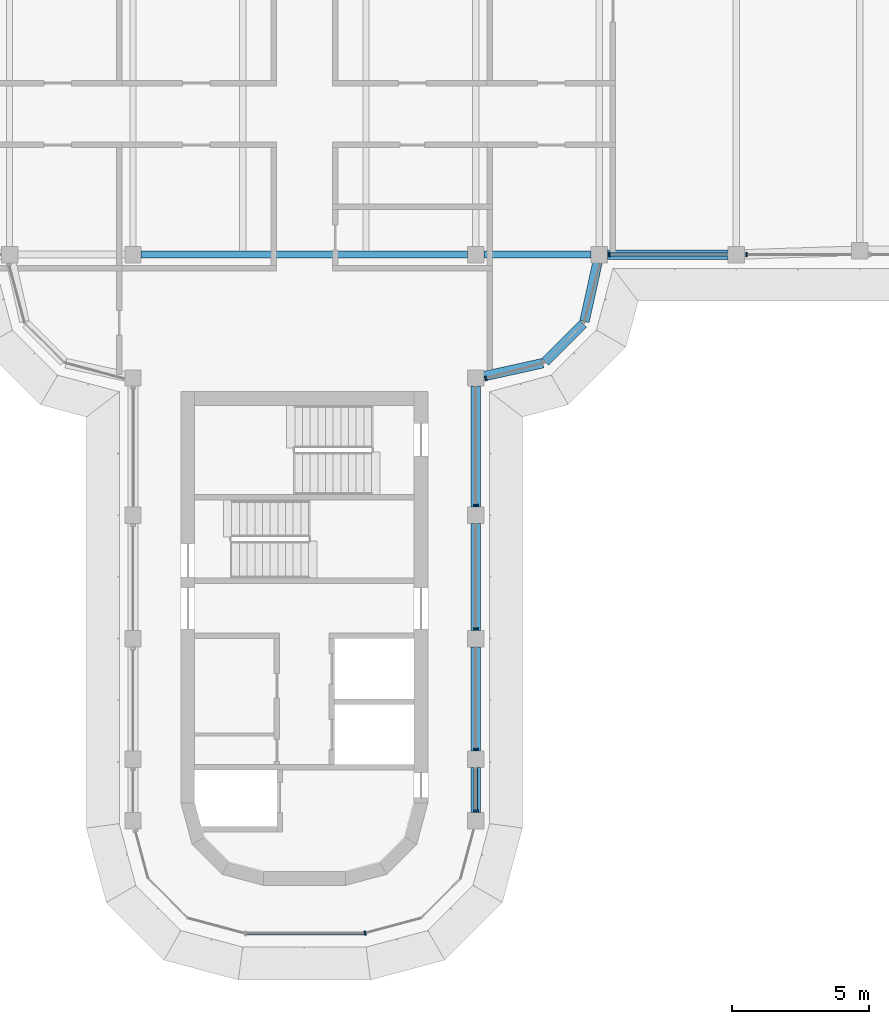
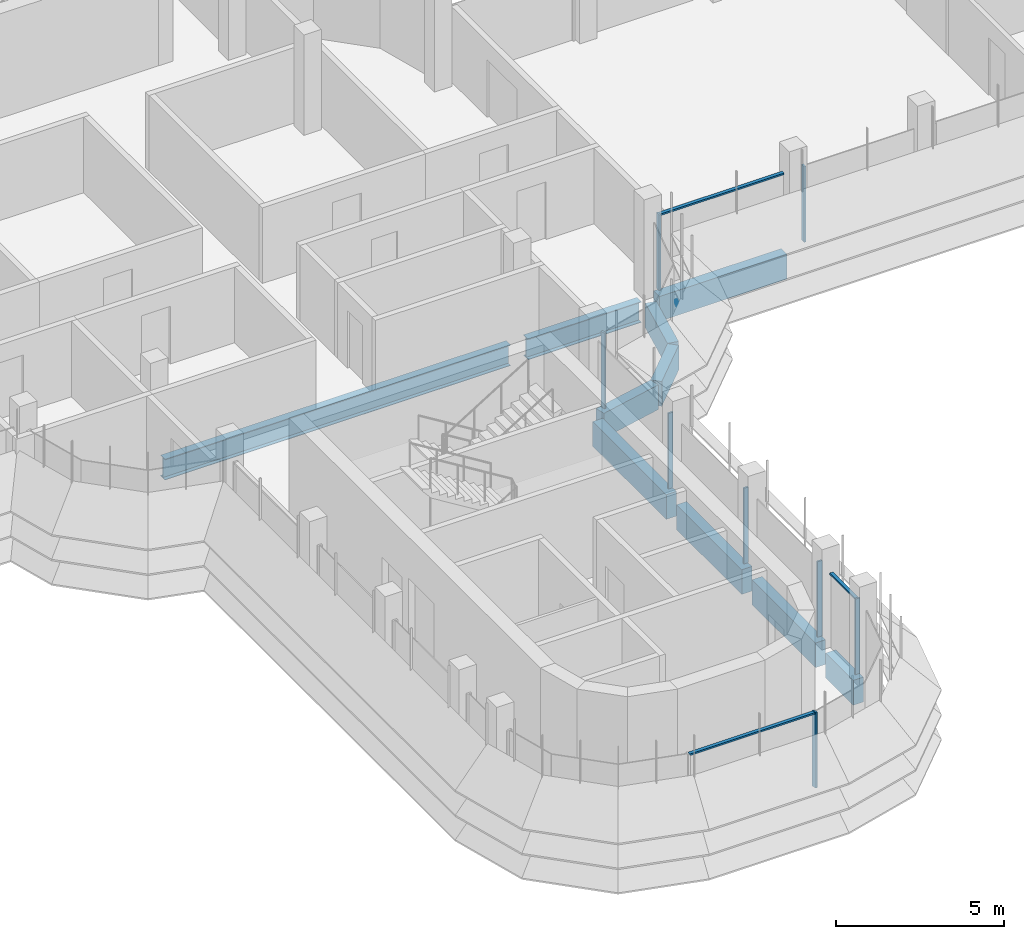
# One storey, part 4 of 19: 11 members, 10 beams, 5 elements without a shape of their own.
"""IFC4 building model written with IfcOpenShell, lengths in metres."""

from ifc_helpers import new_model, si_unit, direction, frame, origin, origin_2d, place, context, subcontext, project, spatial, polyline, rectangle, i_section, outline, extrude, source, transform, mapped, material, material_profile, profile_set, type_object, element, aggregate, save


model = new_model("IFC4")

# Units and contexts
model_context = context("Model", 3, precision=1e-05, world=origin(), true_north=direction((0.0, 1.0)))
body_context = subcontext(model_context, "Body", "Model", "MODEL_VIEW")
ifc_project = project(units=[si_unit("LENGTHUNIT", "METRE"), si_unit("AREAUNIT", "SQUARE_METRE"), si_unit("VOLUMEUNIT", "CUBIC_METRE"), si_unit("PLANEANGLEUNIT", "RADIAN"), si_unit("MASSUNIT", "GRAM", prefix="KILO")], contexts=[model_context])

# Site, building, storey
site_placement = place(None, origin())
site = spatial("IfcSite", under=ifc_project, at=site_placement, CompositionType="ELEMENT")
building_placement = place(site_placement, origin())
building = spatial("IfcBuilding", under=site, at=building_placement, Name="Zarbagh Exchange Tower", CompositionType="ELEMENT")
storey_placement = place(building_placement, frame((0.0, 0.0, 276.39990234375)))
storey = spatial("IfcBuildingStorey", under=building, at=storey_placement, Name="L68", CompositionType="ELEMENT", Elevation=276.39990234375)

# Beams
ifc_material_1 = material(Name="Steel ASTM A992 Gr 50", Category="steel")
ifc_material_profile_1 = material_profile(ifc_material_1, i_section(OverallWidth=0.2666015625, OverallDepth=0.7568359375, WebThickness=0.013916015625, FlangeThickness=0.019287109375, at=origin_2d()), Name="W30X108")
ifc_profile_set_1 = profile_set([ifc_material_profile_1], Name="Steel ASTM A992 Gr 50")
beam_type_1 = type_object("IfcBeamType", Name="Floor girder W30X108", PredefinedType="BEAM", material=ifc_profile_set_1)
beam_1_placement = place(storey_placement, frame((-5.949951171875, -6.25, -0.5283203125), z_axis=(1.0, 0.0, 0.0), x_axis=(0.0, 1.0, 0.0)))
element("IfcBeam", 1, at=beam_1_placement, inside=storey, type_object=beam_type_1, Name="Steel girder", PredefinedType="BEAM", context=body_context, shape_type="SweptSolid", body=[
    extrude(i_section(OverallWidth=0.2666015625, OverallDepth=0.7568359375, WebThickness=0.013916015625, FlangeThickness=0.019287109375, at=origin_2d()), origin(), (0.0, 0.0, 1.0), 11.89990234375),
])
beam_2_placement = place(storey_placement, frame((6.550048828125, -6.25, -0.5283203125), z_axis=(1.0, 0.0, 0.0), x_axis=(0.0, 1.0, 0.0)))
element("IfcBeam", 2, at=beam_2_placement, inside=storey, type_object=beam_type_1, Name="Steel girder", PredefinedType="BEAM", context=body_context, shape_type="SweptSolid", body=[
    extrude(i_section(OverallWidth=0.2666015625, OverallDepth=0.7568359375, WebThickness=0.013916015625, FlangeThickness=0.019287109375, at=origin_2d()), origin(), (0.0, 0.0, 1.0), 3.89990234375),
])
ifc_material_2 = material(Name="Concrete C40/50", Category="concrete")
ifc_material_profile_2 = material_profile(ifc_material_2, rectangle(XDim=0.35009765625, YDim=0.89990234375, at=origin_2d()), Name="RC spandrel beam 350 x 900 C40/50")
ifc_profile_set_2 = profile_set([ifc_material_profile_2], Name="Concrete C40/50")
beam_type_2 = type_object("IfcBeamType", Name="RC spandrel beam 350 x 900 C40/50", PredefinedType="SPANDREL", material=ifc_profile_set_2)
beam_3_placement = place(storey_placement, frame((15.449951171875, -6.25, -0.599853515625), z_axis=(-1.0, 0.0, 0.0), x_axis=(0.0, -1.0, 0.0)))
element("IfcBeam", 3, at=beam_3_placement, inside=storey, type_object=beam_type_2, Name="RC spandrel beam", PredefinedType="SPANDREL", context=body_context, shape_type="SweptSolid", body=[
    extrude(rectangle(XDim=0.35009765625, YDim=0.89990234375, at=origin_2d()), origin(), (0.0, 0.0, 1.0), 4.39990234375),
])
beam_4_placement = place(storey_placement, frame((10.685302734375, -6.54296875, -0.599853515625), z_axis=(-0.216025770228, -0.976387662047, 0.0), x_axis=(0.976387662047, -0.216025770228, 0.0)))
element("IfcBeam", 4, at=beam_4_placement, inside=storey, type_object=beam_type_2, Name="RC spandrel beam", PredefinedType="SPANDREL", context=body_context, shape_type="SweptSolid", body=[
    extrude(rectangle(XDim=0.35009765625, YDim=0.89990234375, at=origin_2d()), origin(), (0.0, 0.0, 1.0), 2.200439453125),
])
beam_5_placement = place(storey_placement, frame((10.16259765625, -8.77734375, -0.599853515625), z_axis=(-0.707106781187, -0.707106781187, 0.0), x_axis=(0.707106781187, -0.707106781187, 0.0)))
element("IfcBeam", 5, at=beam_5_placement, inside=storey, type_object=beam_type_2, Name="RC spandrel beam", PredefinedType="SPANDREL", context=body_context, shape_type="SweptSolid", body=[
    extrude(rectangle(XDim=0.35009765625, YDim=0.89990234375, at=origin_2d()), origin(), (0.0, 0.0, 1.0), 1.958984375),
])
beam_6_placement = place(storey_placement, frame((8.69140625, -10.2099609375, -0.599853515625), z_axis=(-0.976387662047, -0.216025770228, 0.0), x_axis=(0.216025770228, -0.976387662047, 0.0)))
element("IfcBeam", 6, at=beam_6_placement, inside=storey, type_object=beam_type_2, Name="RC spandrel beam", PredefinedType="SPANDREL", context=body_context, shape_type="SweptSolid", body=[
    extrude(rectangle(XDim=0.35009765625, YDim=0.89990234375, at=origin_2d()), origin(), (0.0, 0.0, 1.0), 2.200439453125),
])
beam_7_placement = place(storey_placement, frame((6.25, -11.050048828125, -0.599853515625), z_axis=(0.0, -1.0, 0.0), x_axis=(1.0, 0.0, 0.0)))
element("IfcBeam", 7, at=beam_7_placement, inside=storey, type_object=beam_type_2, Name="RC spandrel beam", PredefinedType="SPANDREL", context=body_context, shape_type="SweptSolid", body=[
    extrude(rectangle(XDim=0.35009765625, YDim=0.89990234375, at=origin_2d()), origin(), (0.0, 0.0, 1.0), 4.39990234375),
])
beam_8_placement = place(storey_placement, frame((6.25, -16.050048828125, -0.599853515625), z_axis=(0.0, -1.0, 0.0), x_axis=(1.0, 0.0, 0.0)))
element("IfcBeam", 8, at=beam_8_placement, inside=storey, type_object=beam_type_2, Name="RC spandrel beam", PredefinedType="SPANDREL", context=body_context, shape_type="SweptSolid", body=[
    extrude(rectangle(XDim=0.35009765625, YDim=0.89990234375, at=origin_2d()), origin(), (0.0, 0.0, 1.0), 3.89990234375),
])
beam_9_placement = place(storey_placement, frame((6.25, -20.550048828125, -0.599853515625), z_axis=(0.0, -1.0, 0.0), x_axis=(1.0, 0.0, 0.0)))
element("IfcBeam", 9, at=beam_9_placement, inside=storey, type_object=beam_type_2, Name="RC spandrel beam", PredefinedType="SPANDREL", context=body_context, shape_type="SweptSolid", body=[
    extrude(rectangle(XDim=0.35009765625, YDim=0.89990234375, at=origin_2d()), origin(), (0.0, 0.0, 1.0), 3.800048828125),
])
beam_10_placement = place(storey_placement, frame((6.25, -24.949951171875, -0.599853515625), z_axis=(0.0, -1.0, 0.0), x_axis=(1.0, 0.0, 0.0)))
element("IfcBeam", 10, at=beam_10_placement, inside=storey, type_object=beam_type_2, Name="RC spandrel beam", PredefinedType="SPANDREL", context=body_context, shape_type="SweptSolid", body=[
    extrude(rectangle(XDim=0.35009765625, YDim=0.89990234375, at=origin_2d()), origin(), (0.0, 0.0, 1.0), 1.650146484375),
])

# Curtain wall, member
ifc_material_3 = material(Name="Anodised aluminium frame and glazing", Category="aluminium")
curtain_wall_type = type_object("IfcCurtainWallType", Name="CWB Ribbon glazing, upper zones", PredefinedType="NOTDEFINED", material=ifc_material_3)
curtain_wall_1_placement = place(storey_placement, origin())
curtain_wall_1 = element("IfcCurtainWall", 11, at=curtain_wall_1_placement, inside=storey, type_object=curtain_wall_type, Name="CWB49 curtain wall", PredefinedType="NOTDEFINED")
ifc_material_4 = material(Name="Anodised aluminium frame", Category="aluminium")
member_type_1 = type_object("IfcMemberType", Name="MUB Mullion, anodised aluminium frame", PredefinedType="MULLION", material=ifc_material_4)
shared_shape_1 = source(origin(), body_context, "Body", "SweptSolid", [
    extrude(outline(polyline([(0.0, -0.080078125), (0.06005859375, -0.080078125), (0.06005859375, 0.080078125), (0.0, 0.080078125), (0.0, -0.080078125)])), origin(), (0.0, 0.0, 1.0), 2.75),
])
placement = place(storey_placement, origin())
member_1 = element("IfcMember", 12, at=placement, type_object=member_type_1, Name="CWB49 mullion 1.1", PredefinedType="MULLION", context=body_context, shape_type="MappedRepresentation", body=[
    mapped(shared_shape_1, transform((2.18408203125, -31.0, 0.0), x_axis=(0.965924289636, 0.258824779902, 0.0), y_axis=(-0.258824779902, 0.965924289636, 0.0), z_axis=(0.0, 0.0, 1.0))),
])
aggregate(curtain_wall_1, [member_1])

# Curtain wall, members
curtain_wall_2_placement = place(storey_placement, origin())
curtain_wall_2 = element("IfcCurtainWall", 13, at=curtain_wall_2_placement, inside=storey, type_object=curtain_wall_type, Name="CWB52 curtain wall", PredefinedType="NOTDEFINED")
member_2 = element("IfcMember", 14, at=placement, type_object=member_type_1, Name="CWB52 mullion 1.1", PredefinedType="MULLION", context=body_context, shape_type="MappedRepresentation", body=[
    mapped(shared_shape_1, transform((6.25, -26.56005859375, 0.0), x_axis=(0.0, 1.0, 0.0), y_axis=(-1.0, 0.0, 0.0), z_axis=(0.0, 0.0, 1.0))),
])
member_3 = element("IfcMember", 15, at=placement, type_object=member_type_1, Name="CWB52 mullion 2.1", PredefinedType="MULLION", context=body_context, shape_type="MappedRepresentation", body=[
    mapped(shared_shape_1, transform((6.25, -24.31005859375, 0.0), x_axis=(0.0, 1.0, 0.0), y_axis=(-1.0, 0.0, 0.0), z_axis=(0.0, 0.0, 1.0))),
])
member_4 = element("IfcMember", 16, at=placement, type_object=member_type_1, Name="CWB52 mullion 3.1", PredefinedType="MULLION", context=body_context, shape_type="MappedRepresentation", body=[
    mapped(shared_shape_1, transform((6.25, -19.909912109375, 0.0), x_axis=(0.0, 1.0, 0.0), y_axis=(-1.0, 0.0, 0.0), z_axis=(0.0, 0.0, 1.0))),
])
member_5 = element("IfcMember", 17, at=placement, type_object=member_type_1, Name="CWB52 mullion 4.1", PredefinedType="MULLION", context=body_context, shape_type="MappedRepresentation", body=[
    mapped(shared_shape_1, transform((6.25, -15.409912109375, 0.0), x_axis=(0.0, 1.0, 0.0), y_axis=(-1.0, 0.0, 0.0), z_axis=(0.0, 0.0, 1.0))),
])

# Curtain wall, member
curtain_wall_3_placement = place(storey_placement, origin())
curtain_wall_3 = element("IfcCurtainWall", 18, at=curtain_wall_3_placement, inside=storey, type_object=curtain_wall_type, Name="CWB05 curtain wall", PredefinedType="NOTDEFINED")
member_6 = element("IfcMember", 19, at=placement, type_object=member_type_1, Name="CWB05 mullion 1.1", PredefinedType="MULLION", context=body_context, shape_type="MappedRepresentation", body=[
    mapped(shared_shape_1, transform((6.590087890625, -10.775146484375, 0.0), x_axis=(0.965924289636, 0.258824779902, 0.0), y_axis=(-0.258824779902, 0.965924289636, 0.0), z_axis=(0.0, 0.0, 1.0))),
])
aggregate(curtain_wall_3, [member_6])

# Curtain wall, members
curtain_wall_4_placement = place(storey_placement, origin())
curtain_wall_4 = element("IfcCurtainWall", 20, at=curtain_wall_4_placement, inside=storey, type_object=curtain_wall_type, Name="CWB75 curtain wall", PredefinedType="NOTDEFINED")
member_7 = element("IfcMember", 21, at=placement, type_object=member_type_1, Name="CWB75 mullion 1.1", PredefinedType="MULLION", context=body_context, shape_type="MappedRepresentation", body=[
    mapped(shared_shape_1, transform((11.090087890625, -6.25, 0.0), x_axis=(1.0, 0.0, 0.0), y_axis=(0.0, 1.0, 0.0), z_axis=(0.0, 0.0, 1.0))),
])
member_8 = element("IfcMember", 22, at=placement, type_object=member_type_1, Name="CWB75 mullion 2.1", PredefinedType="MULLION", context=body_context, shape_type="MappedRepresentation", body=[
    mapped(shared_shape_1, transform((16.090087890625, -6.25, 0.0), x_axis=(1.0, 0.0, 0.0), y_axis=(0.0, 1.0, 0.0), z_axis=(0.0, 0.0, 1.0))),
])

# Curtain wall, member
curtain_wall_5_placement = place(storey_placement, origin())
curtain_wall_5 = element("IfcCurtainWall", 23, at=curtain_wall_5_placement, inside=storey, type_object=curtain_wall_type, Name="CWB57 curtain wall", PredefinedType="NOTDEFINED")
member_type_2 = type_object("IfcMemberType", Name="TRB Transom, anodised aluminium frame", PredefinedType="USERDEFINED", material=ifc_material_4)
shared_shape_2 = source(origin(), body_context, "Body", "SweptSolid", [
    extrude(outline(polyline([(-0.06005859375, -0.06005859375), (0.0, -0.06005859375), (0.0, 0.06005859375), (-0.06005859375, 0.06005859375), (-0.06005859375, -0.06005859375)])), origin(), (0.0, 0.0, 1.0), 4.308349609375),
])
member_9 = element("IfcMember", 24, at=placement, type_object=member_type_2, Name="CWB57 transom 1.1", ObjectType="TRANSOM", PredefinedType="USERDEFINED", context=body_context, shape_type="MappedRepresentation", body=[
    mapped(shared_shape_2, transform((-2.124267578125, -31.0, 2.75), x_axis=(0.0, 0.0, 1.0), y_axis=(0.0, -1.0, 0.0), z_axis=(1.0, 0.0, 0.0))),
])
aggregate(curtain_wall_5, [member_9])

# Member
shared_shape_3 = source(origin(), body_context, "Body", "SweptSolid", [
    extrude(outline(polyline([(-0.06005859375, -0.06005859375), (0.0, -0.06005859375), (0.0, 0.06005859375), (-0.06005859375, 0.06005859375), (-0.06005859375, -0.06005859375)])), origin(), (0.0, 0.0, 1.0), 1.510009765625),
])
member_10 = element("IfcMember", 25, at=placement, type_object=member_type_2, Name="CWB52 transom 1.1", ObjectType="TRANSOM", PredefinedType="USERDEFINED", context=body_context, shape_type="MappedRepresentation", body=[
    mapped(shared_shape_3, transform((6.25, -26.5, 2.75), x_axis=(0.0, 0.0, 1.0), y_axis=(1.0, 0.0, 0.0), z_axis=(0.0, 1.0, 0.0))),
])

aggregate(curtain_wall_2, [member_2, member_10, member_3, member_4, member_5])

shared_shape_4 = source(origin(), body_context, "Body", "SweptSolid", [
    extrude(outline(polyline([(-0.06005859375, -0.06005859375), (0.0, -0.06005859375), (0.0, 0.06005859375), (-0.06005859375, 0.06005859375), (-0.06005859375, -0.06005859375)])), origin(), (0.0, 0.0, 1.0), 4.260009765625),
])
member_11 = element("IfcMember", 26, at=placement, type_object=member_type_2, Name="CWB75 transom 1.1", ObjectType="TRANSOM", PredefinedType="USERDEFINED", context=body_context, shape_type="MappedRepresentation", body=[
    mapped(shared_shape_4, transform((11.150146484375, -6.25, 2.75), x_axis=(0.0, 0.0, 1.0), y_axis=(0.0, -1.0, 0.0), z_axis=(1.0, 0.0, 0.0))),
])

aggregate(curtain_wall_4, [member_7, member_11, member_8])

save(model, "model.ifc")
